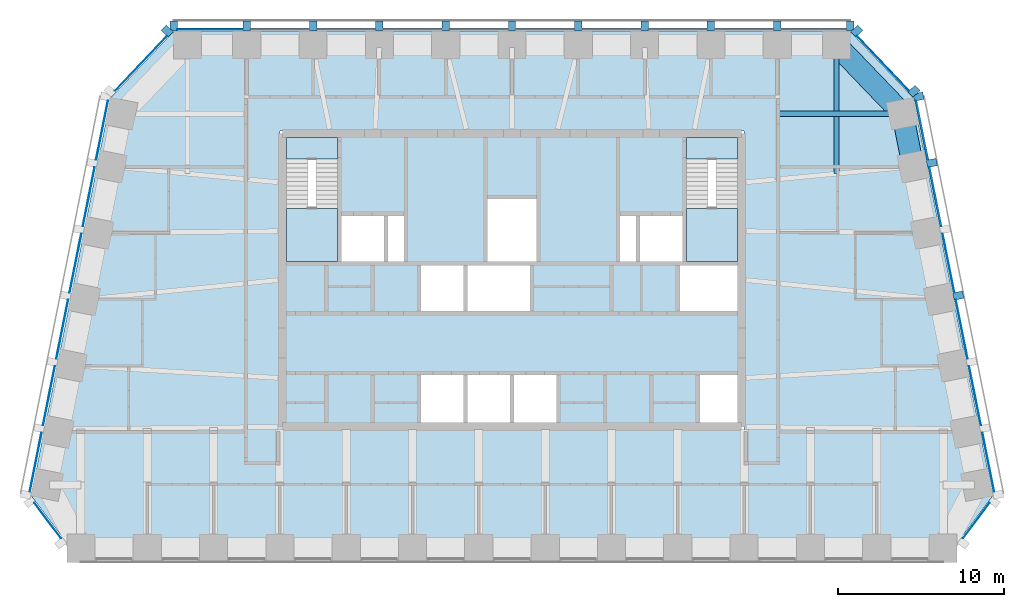
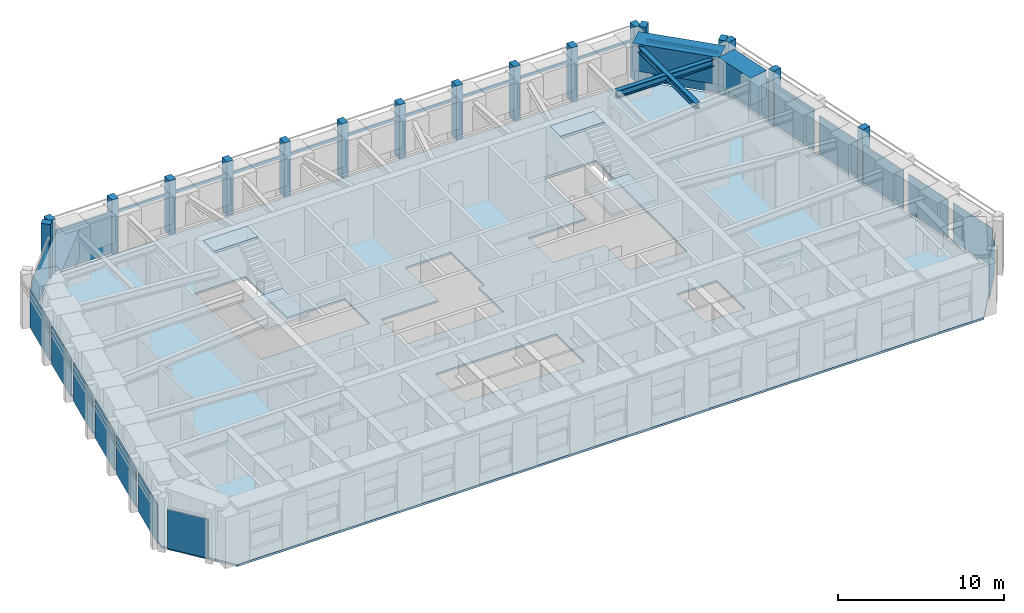
# One storey, part 3 of 12: 30 members, 17 plates, 5 slabs, 4 beams, 9 elements without a shape of their own.
"""IFC4 building model written with IfcOpenShell, lengths in metres."""

from ifc_helpers import new_model, si_unit, direction, frame, origin, origin_2d, place, context, subcontext, project, spatial, polyline, rectangle, i_section, outline, extrude, material, layer, layer_set, material_profile, profile_set, type_object, element, aggregate, save


model = new_model("IFC4")

# Units and contexts
model_context = context("Model", 3, precision=1e-05, world=origin(), true_north=direction((0.0, 1.0)))
body_context = subcontext(model_context, "Body", "Model", "MODEL_VIEW")
ifc_project = project(units=[si_unit("LENGTHUNIT", "METRE"), si_unit("AREAUNIT", "SQUARE_METRE"), si_unit("VOLUMEUNIT", "CUBIC_METRE"), si_unit("PLANEANGLEUNIT", "RADIAN"), si_unit("MASSUNIT", "GRAM", prefix="KILO")], contexts=[model_context])

# Site, building, storey
site_placement = place(None, origin())
site = spatial("IfcSite", under=ifc_project, at=site_placement, CompositionType="ELEMENT")
building_placement = place(site_placement, origin())
building = spatial("IfcBuilding", under=site, at=building_placement, Name="Isbrekke Arena Tower", CompositionType="ELEMENT")
storey_placement = place(building_placement, frame((0.0, 0.0, 304.0)))
storey = spatial("IfcBuildingStorey", under=building, at=storey_placement, Name="L71", CompositionType="ELEMENT", Elevation=304.0)

# Beams
ifc_material_1 = material(Name="Steel S355", Category="steel")
ifc_material_profile_1 = material_profile(ifc_material_1, i_section(OverallWidth=0.305908203125, OverallDepth=0.52392578125, WebThickness=0.02099609375, FlangeThickness=0.0400390625, FilletRadius=0.027099609375, at=origin_2d()), Name="HEM 500")
ifc_profile_set_1 = profile_set([ifc_material_profile_1], Name="Steel S355")
beam_type_1 = type_object("IfcBeamType", Name="B5 HEM 500", PredefinedType="BEAM", material=ifc_profile_set_1)
beam_1_placement = place(storey_placement, frame((23.40283203125, 25.029296875, 3.587890625), z_axis=(-1.0, 0.0, 0.0), x_axis=(0.0, -1.0, 0.0)))
element("IfcBeam", 1, at=beam_1_placement, inside=storey, type_object=beam_type_1, Name="B5 beam E-E07 L71", PredefinedType="BEAM", context=body_context, shape_type="SweptSolid", body=[
    extrude(i_section(OverallWidth=0.305908203125, OverallDepth=0.52392578125, WebThickness=0.02099609375, FlangeThickness=0.0400390625, FilletRadius=0.027099609375, at=origin_2d()), origin(), (0.0, 0.0, 1.0), 7.40283203125),
])
ifc_material_2 = material(Name="Steel S355", Category="steel")
ifc_material_profile_2 = material_profile(ifc_material_2, i_section(OverallWidth=0.306884765625, OverallDepth=0.431884765625, WebThickness=0.02099609375, FlangeThickness=0.0400390625, FilletRadius=0.027099609375, at=origin_2d()), Name="HEM 400")
ifc_profile_set_2 = profile_set([ifc_material_profile_2], Name="Steel S355")
beam_type_2 = type_object("IfcBeamType", Name="B6 HEM 400", PredefinedType="BEAM", material=ifc_profile_set_2)
beam_2_placement = place(storey_placement, frame((19.574951171875, 29.02490234375, 3.634033203125), z_axis=(0.0, -1.0, 0.0), x_axis=(1.0, 0.0, 0.0)))
element("IfcBeam", 2, at=beam_2_placement, inside=storey, type_object=beam_type_2, Name="B6 beam N-N01 L71", PredefinedType="BEAM", context=body_context, shape_type="SweptSolid", body=[
    extrude(i_section(OverallWidth=0.306884765625, OverallDepth=0.431884765625, WebThickness=0.02099609375, FlangeThickness=0.0400390625, FilletRadius=0.027099609375, at=origin_2d()), origin(), (0.0, 0.0, 1.0), 7.608154296875),
])

# Curtain wall, members
ifc_material_3 = material(Name="Glazed aluminium curtain wall", Category="aluminium")
curtain_wall_type = type_object("IfcCurtainWallType", Name="CWT TOWER CURTAIN WALL TOP ZONE", PredefinedType="USERDEFINED", material=ifc_material_3)
curtain_wall_1_placement = place(storey_placement, origin())
curtain_wall_1 = element("IfcCurtainWall", 3, at=curtain_wall_1_placement, inside=storey, type_object=curtain_wall_type, Name="CWT curtain wall L71-E", ObjectType="TOWER CURTAIN WALL TOP ZONE", PredefinedType="USERDEFINED")
ifc_material_4 = material(Name="Copper-clad aluminium mullion", Category="aluminium")
ifc_material_profile_3 = material_profile(ifc_material_4, rectangle(XDim=0.449951171875, YDim=0.60009765625, at=origin_2d()), Name="PIER 450X600")
ifc_profile_set_3 = profile_set([ifc_material_profile_3], Name="Copper-clad aluminium mullion")
member_type_1 = type_object("IfcMemberType", Name="CWT-M PIER MULLION 450 x 600", PredefinedType="MULLION", material=ifc_profile_set_3)
member_1_placement = place(storey_placement, frame((26.918701171875, 14.063720703125, 0.0), z_axis=(0.0, 0.0, 1.0), x_axis=(-0.196116135138, 0.980580675691, 0.0)))
member_1 = element("IfcMember", 4, at=member_1_placement, type_object=member_type_1, Name="CWT-M mullion 4", PredefinedType="MULLION", context=body_context, shape_type="SweptSolid", body=[
    extrude(rectangle(XDim=0.449951171875, YDim=0.60009765625, at=origin_2d()), origin(), (0.0, 0.0, 1.0), 4.0),
])
member_2_placement = place(storey_placement, frame((25.318603515625, 22.063720703125, 0.0), z_axis=(0.0, 0.0, 1.0), x_axis=(-0.196116135138, 0.980580675691, 0.0)))
member_2 = element("IfcMember", 5, at=member_2_placement, type_object=member_type_1, Name="CWT-M mullion 6", PredefinedType="MULLION", context=body_context, shape_type="SweptSolid", body=[
    extrude(rectangle(XDim=0.449951171875, YDim=0.60009765625, at=origin_2d()), origin(), (0.0, 0.0, 1.0), 4.0),
])
member_3_placement = place(storey_placement, frame((24.518798828125, 26.063720703125, 0.0), z_axis=(0.0, 0.0, 1.0), x_axis=(-0.196116135138, 0.980580675691, 0.0)))
member_3 = element("IfcMember", 6, at=member_3_placement, type_object=member_type_1, Name="CWT-M mullion 7", PredefinedType="MULLION", context=body_context, shape_type="SweptSolid", body=[
    extrude(rectangle(XDim=0.449951171875, YDim=0.60009765625, at=origin_2d()), origin(), (0.0, 0.0, 1.0), 4.0),
])

curtain_wall_2_placement = place(storey_placement, origin())
curtain_wall_2 = element("IfcCurtainWall", 7, at=curtain_wall_2_placement, inside=storey, type_object=curtain_wall_type, Name="CWT curtain wall L71-EN", ObjectType="TOWER CURTAIN WALL TOP ZONE", PredefinedType="USERDEFINED")
member_4_placement = place(storey_placement, frame((24.244384765625, 26.388671875, 0.0), z_axis=(0.0, 0.0, 1.0), x_axis=(-0.68874946192, 0.72499943359, 0.0)))
member_4 = element("IfcMember", 8, at=member_4_placement, type_object=member_type_1, Name="CWT-M mullion 1", PredefinedType="MULLION", context=body_context, shape_type="SweptSolid", body=[
    extrude(rectangle(XDim=0.449951171875, YDim=0.60009765625, at=origin_2d()), origin(), (0.0, 0.0, 1.0), 4.0),
])
member_5_placement = place(storey_placement, frame((20.795166015625, 30.019775390625, 0.0), z_axis=(0.0, 0.0, 1.0), x_axis=(-0.68874946192, 0.72499943359, 0.0)))
member_5 = element("IfcMember", 9, at=member_5_placement, type_object=member_type_1, Name="CWT-M mullion 2", PredefinedType="MULLION", context=body_context, shape_type="SweptSolid", body=[
    extrude(rectangle(XDim=0.449951171875, YDim=0.60009765625, at=origin_2d()), origin(), (0.0, 0.0, 1.0), 4.0),
])

curtain_wall_3_placement = place(storey_placement, origin())
curtain_wall_3 = element("IfcCurtainWall", 10, at=curtain_wall_3_placement, inside=storey, type_object=curtain_wall_type, Name="CWT curtain wall L71-N", ObjectType="TOWER CURTAIN WALL TOP ZONE", PredefinedType="USERDEFINED")
member_6_placement = place(storey_placement, frame((20.39990234375, 30.324951171875, 0.0), z_axis=(0.0, 0.0, 1.0), x_axis=(-1.0, 0.0, 0.0)))
member_6 = element("IfcMember", 11, at=member_6_placement, type_object=member_type_1, Name="CWT-M mullion 1", PredefinedType="MULLION", context=body_context, shape_type="SweptSolid", body=[
    extrude(rectangle(XDim=0.449951171875, YDim=0.60009765625, at=origin_2d()), origin(), (0.0, 0.0, 1.0), 4.0),
])
member_7_placement = place(storey_placement, frame((16.0, 30.324951171875, 0.0), z_axis=(0.0, 0.0, 1.0), x_axis=(-1.0, 0.0, 0.0)))
member_7 = element("IfcMember", 12, at=member_7_placement, type_object=member_type_1, Name="CWT-M mullion 2", PredefinedType="MULLION", context=body_context, shape_type="SweptSolid", body=[
    extrude(rectangle(XDim=0.449951171875, YDim=0.60009765625, at=origin_2d()), origin(), (0.0, 0.0, 1.0), 4.0),
])
member_8_placement = place(storey_placement, frame((12.0, 30.324951171875, 0.0), z_axis=(0.0, 0.0, 1.0), x_axis=(-1.0, 0.0, 0.0)))
member_8 = element("IfcMember", 13, at=member_8_placement, type_object=member_type_1, Name="CWT-M mullion 3", PredefinedType="MULLION", context=body_context, shape_type="SweptSolid", body=[
    extrude(rectangle(XDim=0.449951171875, YDim=0.60009765625, at=origin_2d()), origin(), (0.0, 0.0, 1.0), 4.0),
])
member_9_placement = place(storey_placement, frame((8.0, 30.324951171875, 0.0), z_axis=(0.0, 0.0, 1.0), x_axis=(-1.0, 0.0, 0.0)))
member_9 = element("IfcMember", 14, at=member_9_placement, type_object=member_type_1, Name="CWT-M mullion 4", PredefinedType="MULLION", context=body_context, shape_type="SweptSolid", body=[
    extrude(rectangle(XDim=0.449951171875, YDim=0.60009765625, at=origin_2d()), origin(), (0.0, 0.0, 1.0), 4.0),
])
member_10_placement = place(storey_placement, frame((4.0, 30.324951171875, 0.0), z_axis=(0.0, 0.0, 1.0), x_axis=(-1.0, 0.0, 0.0)))
member_10 = element("IfcMember", 15, at=member_10_placement, type_object=member_type_1, Name="CWT-M mullion 5", PredefinedType="MULLION", context=body_context, shape_type="SweptSolid", body=[
    extrude(rectangle(XDim=0.449951171875, YDim=0.60009765625, at=origin_2d()), origin(), (0.0, 0.0, 1.0), 4.0),
])
member_11_placement = place(storey_placement, frame((0.0, 30.324951171875, 0.0), z_axis=(0.0, 0.0, 1.0), x_axis=(-1.0, 0.0, 0.0)))
member_11 = element("IfcMember", 16, at=member_11_placement, type_object=member_type_1, Name="CWT-M mullion 6", PredefinedType="MULLION", context=body_context, shape_type="SweptSolid", body=[
    extrude(rectangle(XDim=0.449951171875, YDim=0.60009765625, at=origin_2d()), origin(), (0.0, 0.0, 1.0), 4.0),
])
member_12_placement = place(storey_placement, frame((-4.0, 30.324951171875, 0.0), z_axis=(0.0, 0.0, 1.0), x_axis=(-1.0, 0.0, 0.0)))
member_12 = element("IfcMember", 17, at=member_12_placement, type_object=member_type_1, Name="CWT-M mullion 7", PredefinedType="MULLION", context=body_context, shape_type="SweptSolid", body=[
    extrude(rectangle(XDim=0.449951171875, YDim=0.60009765625, at=origin_2d()), origin(), (0.0, 0.0, 1.0), 4.0),
])
member_13_placement = place(storey_placement, frame((-8.0, 30.324951171875, 0.0), z_axis=(0.0, 0.0, 1.0), x_axis=(-1.0, 0.0, 0.0)))
member_13 = element("IfcMember", 18, at=member_13_placement, type_object=member_type_1, Name="CWT-M mullion 8", PredefinedType="MULLION", context=body_context, shape_type="SweptSolid", body=[
    extrude(rectangle(XDim=0.449951171875, YDim=0.60009765625, at=origin_2d()), origin(), (0.0, 0.0, 1.0), 4.0),
])
member_14_placement = place(storey_placement, frame((-12.0, 30.324951171875, 0.0), z_axis=(0.0, 0.0, 1.0), x_axis=(-1.0, 0.0, 0.0)))
member_14 = element("IfcMember", 19, at=member_14_placement, type_object=member_type_1, Name="CWT-M mullion 9", PredefinedType="MULLION", context=body_context, shape_type="SweptSolid", body=[
    extrude(rectangle(XDim=0.449951171875, YDim=0.60009765625, at=origin_2d()), origin(), (0.0, 0.0, 1.0), 4.0),
])
member_15_placement = place(storey_placement, frame((-16.0, 30.324951171875, 0.0), z_axis=(0.0, 0.0, 1.0), x_axis=(-1.0, 0.0, 0.0)))
member_15 = element("IfcMember", 20, at=member_15_placement, type_object=member_type_1, Name="CWT-M mullion 10", PredefinedType="MULLION", context=body_context, shape_type="SweptSolid", body=[
    extrude(rectangle(XDim=0.449951171875, YDim=0.60009765625, at=origin_2d()), origin(), (0.0, 0.0, 1.0), 4.0),
])
member_16_placement = place(storey_placement, frame((-20.39990234375, 30.324951171875, 0.0), z_axis=(0.0, 0.0, 1.0), x_axis=(-1.0, 0.0, 0.0)))
member_16 = element("IfcMember", 21, at=member_16_placement, type_object=member_type_1, Name="CWT-M mullion 11", PredefinedType="MULLION", context=body_context, shape_type="SweptSolid", body=[
    extrude(rectangle(XDim=0.449951171875, YDim=0.60009765625, at=origin_2d()), origin(), (0.0, 0.0, 1.0), 4.0),
])

# Curtain wall, member
curtain_wall_4_placement = place(storey_placement, origin())
curtain_wall_4 = element("IfcCurtainWall", 22, at=curtain_wall_4_placement, inside=storey, type_object=curtain_wall_type, Name="CWT curtain wall L71-NW", ObjectType="TOWER CURTAIN WALL TOP ZONE", PredefinedType="USERDEFINED")
member_17_placement = place(storey_placement, frame((-20.795166015625, 30.01953125, 0.0), z_axis=(0.0, 0.0, 1.0), x_axis=(-0.68874946192, -0.72499943359, 0.0)))
member_17 = element("IfcMember", 23, at=member_17_placement, type_object=member_type_1, Name="CWT-M mullion 1", PredefinedType="MULLION", context=body_context, shape_type="SweptSolid", body=[
    extrude(rectangle(XDim=0.449951171875, YDim=0.60009765625, at=origin_2d()), origin(), (0.0, 0.0, 1.0), 4.0),
])

# Member
ifc_material_5 = material(Name="Aluminium transom", Category="aluminium")
ifc_material_profile_4 = material_profile(ifc_material_5, rectangle(XDim=0.1201171875, YDim=0.199951171875, at=origin_2d()), Name="TRANSOM 120X200")
ifc_profile_set_4 = profile_set([ifc_material_profile_4], Name="Aluminium transom")
member_type_2 = type_object("IfcMemberType", Name="CWT-T TRANSOM 120 x 200", PredefinedType="USERDEFINED", material=ifc_profile_set_4)
member_18_placement = place(storey_placement, frame((25.87841796875, 18.2451171875, 3.0), z_axis=(-0.196090262229, 0.980585849918, 0.0), x_axis=(-0.980585849918, -0.196090262229, 0.0)))
member_18 = element("IfcMember", 24, at=member_18_placement, type_object=member_type_2, Name="CWT-T transom 5", ObjectType="TRANSOM", PredefinedType="USERDEFINED", context=body_context, shape_type="SweptSolid", body=[
    extrude(rectangle(XDim=0.1201171875, YDim=0.199951171875, at=origin_2d()), origin(), (0.0, 0.0, 1.0), 3.62939453125),
])

member_19_placement = place(storey_placement, frame((25.078369140625, 22.2451171875, 3.0), z_axis=(-0.196090262229, 0.980585849918, 0.0), x_axis=(-0.980585849918, -0.196090262229, 0.0)))
member_19 = element("IfcMember", 25, at=member_19_placement, type_object=member_type_2, Name="CWT-T transom 6", ObjectType="TRANSOM", PredefinedType="USERDEFINED", context=body_context, shape_type="SweptSolid", body=[
    extrude(rectangle(XDim=0.1201171875, YDim=0.199951171875, at=origin_2d()), origin(), (0.0, 0.0, 1.0), 3.62939453125),
])

member_20_placement = place(storey_placement, frame((23.944580078125, 26.4140625, 3.0), z_axis=(-0.688771983213, 0.724978037696, 0.0), x_axis=(-0.724978037696, -0.688771983213, 0.0)))
member_20 = element("IfcMember", 26, at=member_20_placement, type_object=member_type_2, Name="CWT-T transom 1", ObjectType="TRANSOM", PredefinedType="USERDEFINED", context=body_context, shape_type="SweptSolid", body=[
    extrude(rectangle(XDim=0.1201171875, YDim=0.199951171875, at=origin_2d()), origin(), (0.0, 0.0, 1.0), 4.558349609375),
])

member_21_placement = place(storey_placement, frame((20.175048828125, 30.125, 3.0), z_axis=(-1.0, 0.0, 0.0), x_axis=(0.0, -1.0, 0.0)))
member_21 = element("IfcMember", 27, at=member_21_placement, type_object=member_type_2, Name="CWT-T transom 1", ObjectType="TRANSOM", PredefinedType="USERDEFINED", context=body_context, shape_type="SweptSolid", body=[
    extrude(rectangle(XDim=0.1201171875, YDim=0.199951171875, at=origin_2d()), origin(), (0.0, 0.0, 1.0), 3.949951171875),
])

member_22_placement = place(storey_placement, frame((15.77490234375, 30.125, 3.0), z_axis=(-1.0, 0.0, 0.0), x_axis=(0.0, -1.0, 0.0)))
member_22 = element("IfcMember", 28, at=member_22_placement, type_object=member_type_2, Name="CWT-T transom 2", ObjectType="TRANSOM", PredefinedType="USERDEFINED", context=body_context, shape_type="SweptSolid", body=[
    extrude(rectangle(XDim=0.1201171875, YDim=0.199951171875, at=origin_2d()), origin(), (0.0, 0.0, 1.0), 3.5498046875),
])

member_23_placement = place(storey_placement, frame((11.77490234375, 30.125, 3.0), z_axis=(-1.0, 0.0, 0.0), x_axis=(0.0, -1.0, 0.0)))
member_23 = element("IfcMember", 29, at=member_23_placement, type_object=member_type_2, Name="CWT-T transom 3", ObjectType="TRANSOM", PredefinedType="USERDEFINED", context=body_context, shape_type="SweptSolid", body=[
    extrude(rectangle(XDim=0.1201171875, YDim=0.199951171875, at=origin_2d()), origin(), (0.0, 0.0, 1.0), 3.5498046875),
])

member_24_placement = place(storey_placement, frame((7.77490234375, 30.125, 3.0), z_axis=(-1.0, 0.0, 0.0), x_axis=(0.0, -1.0, 0.0)))
member_24 = element("IfcMember", 30, at=member_24_placement, type_object=member_type_2, Name="CWT-T transom 4", ObjectType="TRANSOM", PredefinedType="USERDEFINED", context=body_context, shape_type="SweptSolid", body=[
    extrude(rectangle(XDim=0.1201171875, YDim=0.199951171875, at=origin_2d()), origin(), (0.0, 0.0, 1.0), 3.5498046875),
])

member_25_placement = place(storey_placement, frame((3.77490234375, 30.125, 3.0), z_axis=(-1.0, 0.0, 0.0), x_axis=(0.0, -1.0, 0.0)))
member_25 = element("IfcMember", 31, at=member_25_placement, type_object=member_type_2, Name="CWT-T transom 5", ObjectType="TRANSOM", PredefinedType="USERDEFINED", context=body_context, shape_type="SweptSolid", body=[
    extrude(rectangle(XDim=0.1201171875, YDim=0.199951171875, at=origin_2d()), origin(), (0.0, 0.0, 1.0), 3.5498046875),
])

member_26_placement = place(storey_placement, frame((-0.22509765625, 30.125, 3.0), z_axis=(-1.0, 0.0, 0.0), x_axis=(0.0, -1.0, 0.0)))
member_26 = element("IfcMember", 32, at=member_26_placement, type_object=member_type_2, Name="CWT-T transom 6", ObjectType="TRANSOM", PredefinedType="USERDEFINED", context=body_context, shape_type="SweptSolid", body=[
    extrude(rectangle(XDim=0.1201171875, YDim=0.199951171875, at=origin_2d()), origin(), (0.0, 0.0, 1.0), 3.5498046875),
])

member_27_placement = place(storey_placement, frame((-4.22509765625, 30.125, 3.0), z_axis=(-1.0, 0.0, 0.0), x_axis=(0.0, -1.0, 0.0)))
member_27 = element("IfcMember", 33, at=member_27_placement, type_object=member_type_2, Name="CWT-T transom 7", ObjectType="TRANSOM", PredefinedType="USERDEFINED", context=body_context, shape_type="SweptSolid", body=[
    extrude(rectangle(XDim=0.1201171875, YDim=0.199951171875, at=origin_2d()), origin(), (0.0, 0.0, 1.0), 3.5498046875),
])

member_28_placement = place(storey_placement, frame((-8.22509765625, 30.125, 3.0), z_axis=(-1.0, 0.0, 0.0), x_axis=(0.0, -1.0, 0.0)))
member_28 = element("IfcMember", 34, at=member_28_placement, type_object=member_type_2, Name="CWT-T transom 8", ObjectType="TRANSOM", PredefinedType="USERDEFINED", context=body_context, shape_type="SweptSolid", body=[
    extrude(rectangle(XDim=0.1201171875, YDim=0.199951171875, at=origin_2d()), origin(), (0.0, 0.0, 1.0), 3.5498046875),
])

member_29_placement = place(storey_placement, frame((-12.22509765625, 30.125, 3.0), z_axis=(-1.0, 0.0, 0.0), x_axis=(0.0, -1.0, 0.0)))
member_29 = element("IfcMember", 35, at=member_29_placement, type_object=member_type_2, Name="CWT-T transom 9", ObjectType="TRANSOM", PredefinedType="USERDEFINED", context=body_context, shape_type="SweptSolid", body=[
    extrude(rectangle(XDim=0.1201171875, YDim=0.199951171875, at=origin_2d()), origin(), (0.0, 0.0, 1.0), 3.5498046875),
])

member_30_placement = place(storey_placement, frame((-16.22509765625, 30.125, 3.0), z_axis=(-1.0, 0.0, 0.0), x_axis=(0.0, -1.0, 0.0)))
member_30 = element("IfcMember", 36, at=member_30_placement, type_object=member_type_2, Name="CWT-T transom 10", ObjectType="TRANSOM", PredefinedType="USERDEFINED", context=body_context, shape_type="SweptSolid", body=[
    extrude(rectangle(XDim=0.1201171875, YDim=0.199951171875, at=origin_2d()), origin(), (0.0, 0.0, 1.0), 3.949951171875),
])

# Beams
ifc_material_6 = material(Name="Concrete B55 (C55/67)", Category="concrete")
ifc_material_profile_5 = material_profile(ifc_material_6, rectangle(XDim=1.300048828125, YDim=2.0, at=origin_2d()), Name="RC 1300x2000")
ifc_profile_set_5 = profile_set([ifc_material_profile_5], Name="Concrete B55 (C55/67)")
beam_type_3 = type_object("IfcBeamType", Name="SB4 RC 1300 x 2000", PredefinedType="SPANDREL", material=ifc_profile_set_5)
beam_3_placement = place(storey_placement, frame((24.16162109375, 21.9853515625, 3.0), z_axis=(-0.196116135138, 0.980580675691, 0.0), x_axis=(-0.980580675691, -0.196116135138, 0.0)))
element("IfcBeam", 37, at=beam_3_placement, inside=storey, type_object=beam_type_3, Name="SB4 spandrel E06-E07 L71", PredefinedType="SPANDREL", context=body_context, shape_type="SweptSolid", body=[
    extrude(rectangle(XDim=1.300048828125, YDim=2.0, at=origin_2d()), origin(), (0.0, 0.0, 1.0), 2.9541015625),
])
beam_4_placement = place(storey_placement, frame((23.448974609375, 25.137451171875, 3.0), z_axis=(-0.692339547635, 0.721571861134, 0.0), x_axis=(-0.721571861134, -0.692339547635, 0.0)))
element("IfcBeam", 38, at=beam_4_placement, inside=storey, type_object=beam_type_3, Name="SB4 spandrel E07-N01 L71", PredefinedType="SPANDREL", context=body_context, shape_type="SweptSolid", body=[
    extrude(rectangle(XDim=1.300048828125, YDim=2.0, at=origin_2d()), origin(), (0.0, 0.0, 1.0), 5.4453125),
])

# Curtain wall, plate
curtain_wall_5_placement = place(storey_placement, origin())
curtain_wall_5 = element("IfcCurtainWall", 39, at=curtain_wall_5_placement, inside=storey, type_object=curtain_wall_type, Name="CWT curtain wall L71-SE", ObjectType="TOWER CURTAIN WALL TOP ZONE", PredefinedType="USERDEFINED")
ifc_material_7 = material(Name="Triple-glazed clear glass unit", Category="glass")
ifc_layer_1 = layer(ifc_material_7, 0.031982421875)
ifc_layer_set_1 = layer_set([ifc_layer_1], Name="CWT-P VISION PANEL")
plate_type = type_object("IfcPlateType", Name="CWT-P VISION PANEL", PredefinedType="CURTAIN_PANEL", material=ifc_layer_set_1)
plate_1_placement = place(storey_placement, frame((27.993896484375, 0.49169921875, 0.02001953125), z_axis=(0.0, 0.0, 1.0), x_axis=(0.600000000002, 0.799999999998, 0.0)))
plate_1 = element("IfcPlate", 40, at=plate_1_placement, type_object=plate_type, Name="CWT-P panel 1", PredefinedType="CURTAIN_PANEL", context=body_context, shape_type="SweptSolid", body=[
    extrude(rectangle(XDim=2.65283203125, YDim=0.031982421875, at=origin_2d()), origin(), (0.0, 0.0, 1.0), 2.8798828125),
])
aggregate(curtain_wall_5, [plate_1])

# Plate
plate_2_placement = place(storey_placement, frame((28.72265625, 4.0244140625, 0.02001953125), z_axis=(0.0, 0.0, 1.0), x_axis=(-0.196116135138, 0.980580675691, 0.0)))
plate_2 = element("IfcPlate", 41, at=plate_2_placement, type_object=plate_type, Name="CWT-P panel 1", PredefinedType="CURTAIN_PANEL", context=body_context, shape_type="SweptSolid", body=[
    extrude(rectangle(XDim=3.629150390625, YDim=0.031982421875, at=origin_2d()), origin(), (0.0, 0.0, 1.0), 2.8798828125),
])

plate_3_placement = place(storey_placement, frame((27.922607421875, 8.0244140625, 0.02001953125), z_axis=(0.0, 0.0, 1.0), x_axis=(-0.196116135138, 0.980580675691, 0.0)))
plate_3 = element("IfcPlate", 42, at=plate_3_placement, type_object=plate_type, Name="CWT-P panel 2", PredefinedType="CURTAIN_PANEL", context=body_context, shape_type="SweptSolid", body=[
    extrude(rectangle(XDim=3.629150390625, YDim=0.031982421875, at=origin_2d()), origin(), (0.0, 0.0, 1.0), 2.8798828125),
])

plate_4_placement = place(storey_placement, frame((27.12255859375, 12.0244140625, 0.02001953125), z_axis=(0.0, 0.0, 1.0), x_axis=(-0.196116135138, 0.980580675691, 0.0)))
plate_4 = element("IfcPlate", 43, at=plate_4_placement, type_object=plate_type, Name="CWT-P panel 3", PredefinedType="CURTAIN_PANEL", context=body_context, shape_type="SweptSolid", body=[
    extrude(rectangle(XDim=3.629150390625, YDim=0.031982421875, at=origin_2d()), origin(), (0.0, 0.0, 1.0), 2.8798828125),
])

plate_5_placement = place(storey_placement, frame((26.322509765625, 16.0244140625, 0.02001953125), z_axis=(0.0, 0.0, 1.0), x_axis=(-0.196116135138, 0.980580675691, 0.0)))
plate_5 = element("IfcPlate", 44, at=plate_5_placement, type_object=plate_type, Name="CWT-P panel 4", PredefinedType="CURTAIN_PANEL", context=body_context, shape_type="SweptSolid", body=[
    extrude(rectangle(XDim=3.629150390625, YDim=0.031982421875, at=origin_2d()), origin(), (0.0, 0.0, 1.0), 2.8798828125),
])

plate_6_placement = place(storey_placement, frame((25.5224609375, 20.0244140625, 0.02001953125), z_axis=(0.0, 0.0, 1.0), x_axis=(-0.196116135138, 0.980580675691, 0.0)))
plate_6 = element("IfcPlate", 45, at=plate_6_placement, type_object=plate_type, Name="CWT-P panel 5", PredefinedType="CURTAIN_PANEL", context=body_context, shape_type="SweptSolid", body=[
    extrude(rectangle(XDim=3.629150390625, YDim=0.031982421875, at=origin_2d()), origin(), (0.0, 0.0, 1.0), 2.8798828125),
])

plate_7_placement = place(storey_placement, frame((24.72265625, 24.0244140625, 0.02001953125), z_axis=(0.0, 0.0, 1.0), x_axis=(-0.196116135138, 0.980580675691, 0.0)))
plate_7 = element("IfcPlate", 46, at=plate_7_placement, type_object=plate_type, Name="CWT-P panel 6", PredefinedType="CURTAIN_PANEL", context=body_context, shape_type="SweptSolid", body=[
    extrude(rectangle(XDim=3.629150390625, YDim=0.031982421875, at=origin_2d()), origin(), (0.0, 0.0, 1.0), 2.8798828125),
])

aggregate(curtain_wall_1, [member_1, member_2, member_3, plate_2, plate_3, plate_4, plate_5, member_18, plate_6, member_19, plate_7])

plate_8_placement = place(storey_placement, frame((22.374755859375, 28.06640625, 0.02001953125), z_axis=(0.0, 0.0, 1.0), x_axis=(-0.68874946192, 0.72499943359, 0.0)))
plate_8 = element("IfcPlate", 47, at=plate_8_placement, type_object=plate_type, Name="CWT-P panel 1", PredefinedType="CURTAIN_PANEL", context=body_context, shape_type="SweptSolid", body=[
    extrude(rectangle(XDim=4.558349609375, YDim=0.031982421875, at=origin_2d()), origin(), (0.0, 0.0, 1.0), 2.8798828125),
])

aggregate(curtain_wall_2, [member_4, member_5, member_20, plate_8])

plate_9_placement = place(storey_placement, frame((-18.199951171875, 30.125, 0.02001953125), z_axis=(0.0, 0.0, 1.0), x_axis=(-1.0, 0.0, 0.0)))
plate_9 = element("IfcPlate", 48, at=plate_9_placement, type_object=plate_type, Name="CWT-P panel 10", PredefinedType="CURTAIN_PANEL", context=body_context, shape_type="SweptSolid", body=[
    extrude(rectangle(XDim=3.949951171875, YDim=0.031982421875, at=origin_2d()), origin(), (0.0, 0.0, 1.0), 2.8798828125),
])

aggregate(curtain_wall_3, [member_6, member_7, member_8, member_9, member_10, member_11, member_12, member_13, member_14, member_15, member_16, member_21, member_22, member_23, member_24, member_25, member_26, member_27, member_28, member_29, member_30, plate_9])

plate_10_placement = place(storey_placement, frame((-22.37451171875, 28.066650390625, 0.02001953125), z_axis=(0.0, 0.0, 1.0), x_axis=(-0.68874946192, -0.72499943359, 0.0)))
plate_10 = element("IfcPlate", 49, at=plate_10_placement, type_object=plate_type, Name="CWT-P panel 1", PredefinedType="CURTAIN_PANEL", context=body_context, shape_type="SweptSolid", body=[
    extrude(rectangle(XDim=4.557373046875, YDim=0.031982421875, at=origin_2d()), origin(), (0.0, 0.0, 1.0), 2.8798828125),
])

aggregate(curtain_wall_4, [member_17, plate_10])

# Curtain wall, plates
curtain_wall_6_placement = place(storey_placement, origin())
curtain_wall_6 = element("IfcCurtainWall", 50, at=curtain_wall_6_placement, inside=storey, type_object=curtain_wall_type, Name="CWT curtain wall L71-W", ObjectType="TOWER CURTAIN WALL TOP ZONE", PredefinedType="USERDEFINED")
plate_11_placement = place(storey_placement, frame((-24.72265625, 24.0244140625, 0.02001953125), z_axis=(0.0, 0.0, 1.0), x_axis=(-0.196116135138, -0.980580675691, 0.0)))
plate_11 = element("IfcPlate", 51, at=plate_11_placement, type_object=plate_type, Name="CWT-P panel 1", PredefinedType="CURTAIN_PANEL", context=body_context, shape_type="SweptSolid", body=[
    extrude(rectangle(XDim=3.629150390625, YDim=0.031982421875, at=origin_2d()), origin(), (0.0, 0.0, 1.0), 2.8798828125),
])
plate_12_placement = place(storey_placement, frame((-25.5224609375, 20.0244140625, 0.02001953125), z_axis=(0.0, 0.0, 1.0), x_axis=(-0.196116135138, -0.980580675691, 0.0)))
plate_12 = element("IfcPlate", 52, at=plate_12_placement, type_object=plate_type, Name="CWT-P panel 2", PredefinedType="CURTAIN_PANEL", context=body_context, shape_type="SweptSolid", body=[
    extrude(rectangle(XDim=3.629150390625, YDim=0.031982421875, at=origin_2d()), origin(), (0.0, 0.0, 1.0), 2.8798828125),
])
plate_13_placement = place(storey_placement, frame((-26.322509765625, 16.0244140625, 0.02001953125), z_axis=(0.0, 0.0, 1.0), x_axis=(-0.196116135138, -0.980580675691, 0.0)))
plate_13 = element("IfcPlate", 53, at=plate_13_placement, type_object=plate_type, Name="CWT-P panel 3", PredefinedType="CURTAIN_PANEL", context=body_context, shape_type="SweptSolid", body=[
    extrude(rectangle(XDim=3.629150390625, YDim=0.031982421875, at=origin_2d()), origin(), (0.0, 0.0, 1.0), 2.8798828125),
])
plate_14_placement = place(storey_placement, frame((-27.12255859375, 12.0244140625, 0.02001953125), z_axis=(0.0, 0.0, 1.0), x_axis=(-0.196116135138, -0.980580675691, 0.0)))
plate_14 = element("IfcPlate", 54, at=plate_14_placement, type_object=plate_type, Name="CWT-P panel 4", PredefinedType="CURTAIN_PANEL", context=body_context, shape_type="SweptSolid", body=[
    extrude(rectangle(XDim=3.629150390625, YDim=0.031982421875, at=origin_2d()), origin(), (0.0, 0.0, 1.0), 2.8798828125),
])
plate_15_placement = place(storey_placement, frame((-27.922607421875, 8.0244140625, 0.02001953125), z_axis=(0.0, 0.0, 1.0), x_axis=(-0.196116135138, -0.980580675691, 0.0)))
plate_15 = element("IfcPlate", 55, at=plate_15_placement, type_object=plate_type, Name="CWT-P panel 5", PredefinedType="CURTAIN_PANEL", context=body_context, shape_type="SweptSolid", body=[
    extrude(rectangle(XDim=3.629150390625, YDim=0.031982421875, at=origin_2d()), origin(), (0.0, 0.0, 1.0), 2.8798828125),
])
plate_16_placement = place(storey_placement, frame((-28.72265625, 4.0244140625, 0.02001953125), z_axis=(0.0, 0.0, 1.0), x_axis=(-0.196116135138, -0.980580675691, 0.0)))
plate_16 = element("IfcPlate", 56, at=plate_16_placement, type_object=plate_type, Name="CWT-P panel 6", PredefinedType="CURTAIN_PANEL", context=body_context, shape_type="SweptSolid", body=[
    extrude(rectangle(XDim=3.629150390625, YDim=0.031982421875, at=origin_2d()), origin(), (0.0, 0.0, 1.0), 2.8798828125),
])
aggregate(curtain_wall_6, [plate_11, plate_12, plate_13, plate_14, plate_15, plate_16])

# Curtain wall, plate
curtain_wall_7_placement = place(storey_placement, origin())
curtain_wall_7 = element("IfcCurtainWall", 57, at=curtain_wall_7_placement, inside=storey, type_object=curtain_wall_type, Name="CWT curtain wall L71-WS", ObjectType="TOWER CURTAIN WALL TOP ZONE", PredefinedType="USERDEFINED")
plate_17_placement = place(storey_placement, frame((-27.993408203125, 0.4912109375, 0.02001953125), z_axis=(0.0, 0.0, 1.0), x_axis=(0.600000000002, -0.799999999998, 0.0)))
plate_17 = element("IfcPlate", 58, at=plate_17_placement, type_object=plate_type, Name="CWT-P panel 1", PredefinedType="CURTAIN_PANEL", context=body_context, shape_type="SweptSolid", body=[
    extrude(rectangle(XDim=2.653564453125, YDim=0.031982421875, at=origin_2d()), origin(), (0.0, 0.0, 1.0), 2.8798828125),
])
aggregate(curtain_wall_7, [plate_17])

# Slab
ifc_material_8 = material(Name="Concrete B35 (C35/45)", Category="concrete")
ifc_layer_2 = layer(ifc_material_8, 0.14990234375)
ifc_layer_set_2 = layer_set([ifc_layer_2], Name="FS1 COMPOSITE FLOOR 150")
slab_type_1 = type_object("IfcSlabType", Name="FS1 COMPOSITE FLOOR 150", PredefinedType="FLOOR", material=ifc_layer_set_2)
slab_1_placement = place(storey_placement, frame((0.0, 0.0, -0.14990234375)))
element("IfcSlab", 59, at=slab_1_placement, inside=storey, type_object=slab_type_1, Name="FS1 floor slab L71", PredefinedType="FLOOR", context=body_context, shape_type="SweptSolid", body=[
    extrude(outline(polyline([(-26.0, -2.0), (26.0, -2.0), (29.0, 2.0), (24.199951171875, 26.0), (20.39990234375, 30.0), (-20.39990234375, 30.0), (-24.199951171875, 26.0), (-29.0, 2.0), (-26.0, -2.0)]), holes=[polyline([(2.800048828125, 9.39990234375), (2.800048828125, 6.0), (-5.60009765625, 6.0), (-5.60009765625, 9.39990234375), (2.800048828125, 9.39990234375)]), polyline([(11.199951171875, 6.0), (11.199951171875, 9.39990234375), (14.0, 9.39990234375), (14.0, 6.0), (11.199951171875, 6.0)]), polyline([(-5.60009765625, 13.0), (-5.60009765625, 16.0), (-1.60009765625, 16.0), (-1.60009765625, 20.0), (1.60009765625, 20.0), (1.60009765625, 16.0), (1.199951171875, 16.0), (1.199951171875, 13.0), (-5.60009765625, 13.0)]), polyline([(14.0, 13.0), (10.0, 13.0), (10.0, 16.0), (6.39990234375, 16.0), (6.39990234375, 19.0), (10.39990234375, 19.0), (10.39990234375, 24.0), (14.0, 24.0), (14.0, 13.0)]), polyline([(-6.39990234375, 19.0), (-6.39990234375, 16.0), (-14.0, 16.0), (-14.0, 24.0), (-10.39990234375, 24.0), (-10.39990234375, 19.0), (-6.39990234375, 19.0)])]), origin(), (0.0, 0.0, 1.0), 0.14990234375),
])

# Stair, slabs
ifc_material_9 = material(Name="Concrete B45 (C45/55) precast", Category="concrete")
stair_type = type_object("IfcStairType", Name="ST40 STAIR 1300 WIDE, 24 RISERS 167", PredefinedType="HALF_TURN_STAIR", material=ifc_material_9)
stair_1_placement = place(storey_placement, origin())
stair_1 = element("IfcStair", 60, at=stair_1_placement, inside=storey, type_object=stair_type, Name="ST1 stair L71", PredefinedType="HALF_TURN_STAIR")
ifc_material_10 = material(Name="Concrete B35 (C35/45)", Category="concrete")
ifc_layer_3 = layer(ifc_material_10, 0.199951171875)
ifc_layer_set_3 = layer_set([ifc_layer_3], Name="SL1 STAIR LANDING 200")
slab_type_2 = type_object("IfcSlabType", Name="SL1 STAIR LANDING 200", PredefinedType="LANDING", material=ifc_layer_set_3)
slab_2_placement = place(storey_placement, frame((0.0, 0.0, 1.800048828125)))
slab_2 = element("IfcSlab", 61, at=slab_2_placement, type_object=slab_type_2, Name="ST1 landing 1", PredefinedType="LANDING", context=body_context, shape_type="SweptSolid", body=[
    extrude(outline(polyline([(-13.60009765625, 16.125), (-10.52490234375, 16.125), (-10.52490234375, 19.330078125), (-13.60009765625, 19.330078125), (-13.60009765625, 16.125)])), origin(), (0.0, 0.0, 1.0), 0.199951171875),
])
slab_3_placement = place(storey_placement, frame((0.0, 0.0, 3.800048828125)))
slab_3 = element("IfcSlab", 62, at=slab_3_placement, type_object=slab_type_2, Name="ST1 landing 2", PredefinedType="LANDING", context=body_context, shape_type="SweptSolid", body=[
    extrude(outline(polyline([(-13.60009765625, 22.300048828125), (-10.52490234375, 22.300048828125), (-10.52490234375, 23.60009765625), (-13.60009765625, 23.60009765625), (-13.60009765625, 22.300048828125)])), origin(), (0.0, 0.0, 1.0), 0.199951171875),
])
aggregate(stair_1, [slab_2, slab_3])

stair_2_placement = place(storey_placement, origin())
stair_2 = element("IfcStair", 63, at=stair_2_placement, inside=storey, type_object=stair_type, Name="ST2 stair L71", PredefinedType="HALF_TURN_STAIR")
slab_4_placement = place(storey_placement, frame((0.0, 0.0, 1.800048828125)))
slab_4 = element("IfcSlab", 64, at=slab_4_placement, type_object=slab_type_2, Name="ST2 landing 1", PredefinedType="LANDING", context=body_context, shape_type="SweptSolid", body=[
    extrude(outline(polyline([(10.52490234375, 16.125), (13.60009765625, 16.125), (13.60009765625, 19.330078125), (10.52490234375, 19.330078125), (10.52490234375, 16.125)])), origin(), (0.0, 0.0, 1.0), 0.199951171875),
])
slab_5_placement = place(storey_placement, frame((0.0, 0.0, 3.800048828125)))
slab_5 = element("IfcSlab", 65, at=slab_5_placement, type_object=slab_type_2, Name="ST2 landing 2", PredefinedType="LANDING", context=body_context, shape_type="SweptSolid", body=[
    extrude(outline(polyline([(10.52490234375, 22.300048828125), (13.60009765625, 22.300048828125), (13.60009765625, 23.60009765625), (10.52490234375, 23.60009765625), (10.52490234375, 22.300048828125)])), origin(), (0.0, 0.0, 1.0), 0.199951171875),
])
aggregate(stair_2, [slab_4, slab_5])

save(model, "model.ifc")
